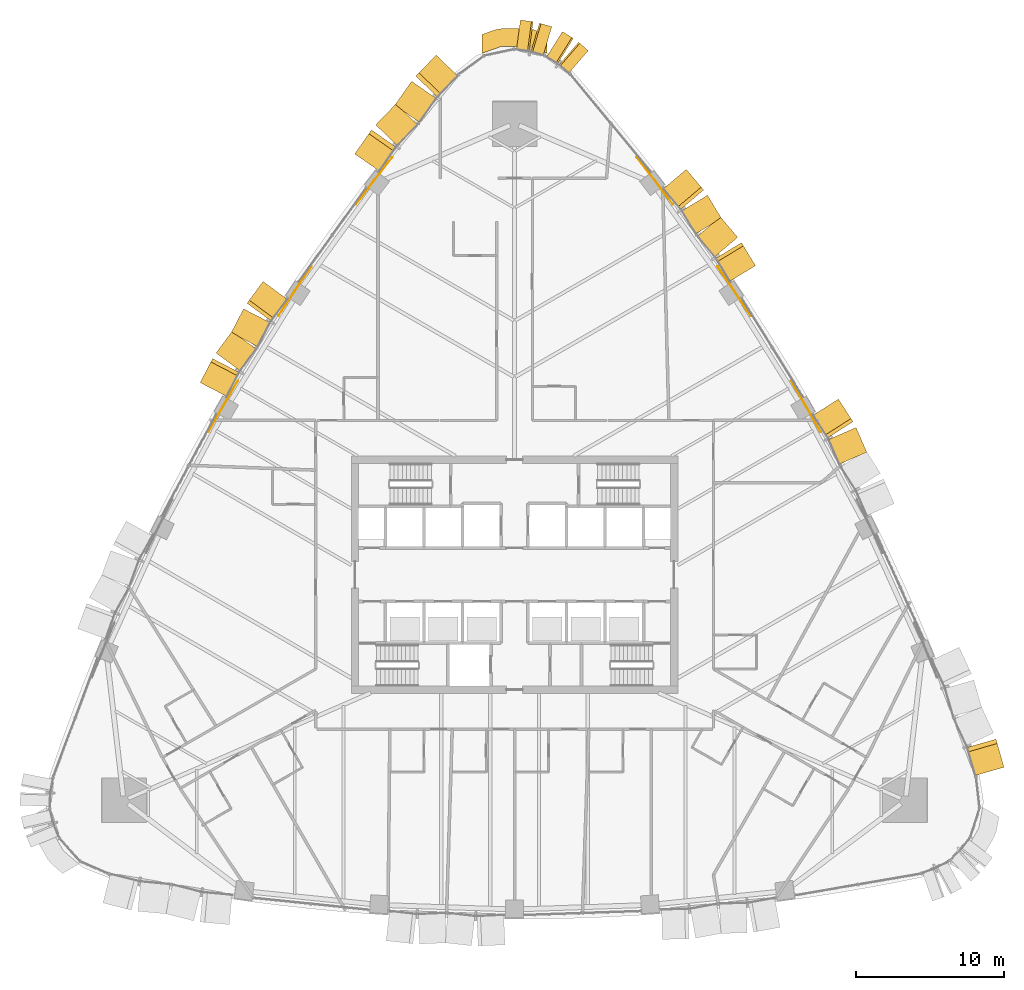
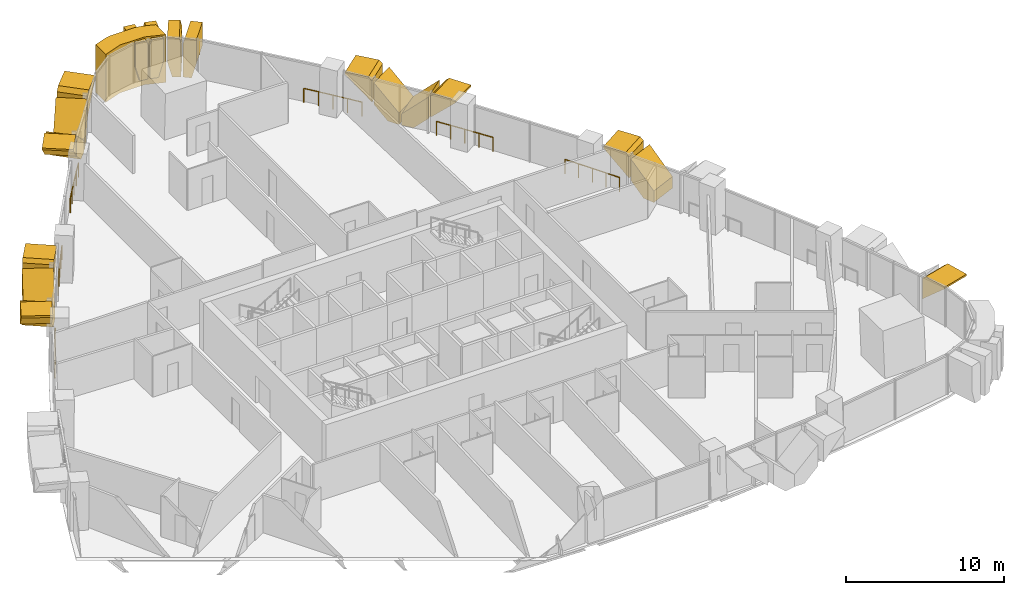
# One storey, part 18 of 19: 20 coverings, 6 railings.
"""IFC4 building model written with IfcOpenShell, lengths in metres."""

from ifc_helpers import new_model, si_unit, direction, frame, origin, origin_2d, place, context, subcontext, project, spatial, polyline, circle, outline, extrude, material, layer, layer_set, type_object, element, save


model = new_model("IFC4")

# Units and contexts
model_context = context("Model", 3, precision=1e-05, world=origin(), true_north=direction((0.0, 1.0)))
body_context = subcontext(model_context, "Body", "Model", "MODEL_VIEW")
ifc_project = project(units=[si_unit("LENGTHUNIT", "METRE"), si_unit("AREAUNIT", "SQUARE_METRE"), si_unit("VOLUMEUNIT", "CUBIC_METRE"), si_unit("PLANEANGLEUNIT", "RADIAN"), si_unit("MASSUNIT", "GRAM", prefix="KILO")], contexts=[model_context])

# Site, building, storey
site_placement = place(None, origin())
site = spatial("IfcSite", under=ifc_project, at=site_placement, CompositionType="ELEMENT")
building_placement = place(site_placement, origin())
building = spatial("IfcBuilding", under=site, at=building_placement, Name="Sierra Prisma Convention Tower", CompositionType="ELEMENT")
storey_placement = place(building_placement, frame((0.0, 0.0, 77.60009765625)))
storey = spatial("IfcBuildingStorey", under=building, at=storey_placement, Name="L15", CompositionType="ELEMENT", Elevation=77.60009765625)

# Coverings
ifc_material_1 = material(Name="Aluminium composite bronze anodised", Category="aluminium")
ifc_layer_1 = layer(ifc_material_1, 1.199951171875)
ifc_layer_set_1 = layer_set([ifc_layer_1], Name="Bronze corner pier")
covering_type_1 = type_object("IfcCoveringType", Name="Bronze corner pier", PredefinedType="CLADDING", material=ifc_layer_set_1)
covering_1_placement = place(storey_placement, frame((0.0, 0.0, -0.60009765625)))
element("IfcCovering", 1, at=covering_1_placement, inside=storey, type_object=covering_type_1, Name="Corner pier N L15.1", PredefinedType="CLADDING", context=body_context, shape_type="SweptSolid", body=[
    extrude(outline(polyline([(-1.287353515625, 36.72412109375), (-0.8876953125, 36.79248046875), (0.8876953125, 36.79248046875), (1.287353515625, 36.72412109375), (2.199951171875, 36.40185546875), (2.199951171875, 35.12939453125), (0.8876953125, 35.592529296875), (-0.8876953125, 35.592529296875), (-2.199951171875, 35.12939453125), (-2.199951171875, 36.40185546875), (-1.287353515625, 36.72412109375)])), origin(), (0.0, 0.0, 1.0), 3.699951171875),
])
ifc_material_2 = material(Name="Aluminium 6063-T6 bronze anodised", Category="aluminium")
ifc_layer_2 = layer(ifc_material_2, 2.0)
ifc_layer_set_2 = layer_set([ifc_layer_2], Name="Bronze crystal chevron frame")
covering_type_2 = type_object("IfcCoveringType", Name="Bronze crystal chevron frame", PredefinedType="CLADDING", material=ifc_layer_set_2)
covering_2_placement = place(storey_placement, frame((32.975341796875, -12.968505859375, 2.97998046875), z_axis=(0.961290806987, 0.275535812565, -1.9888966e-05), x_axis=(-1.911908e-05, -5.480122e-06, -0.999999999802)))
element("IfcCovering", 2, at=covering_2_placement, inside=storey, type_object=covering_type_2, Name="CW-2 chevron frame NE1.1.1", PredefinedType="CLADDING", context=body_context, shape_type="SweptSolid", body=[
    extrude(outline(polyline([(0.0, 0.0), (0.13305664059868333, 1.1270335846035002e-22), (1.8728027341124611, 1.9723454900957142), (0.27270507817893713, 1.9723454900957142), (-6.85585545227022e-10, 1.663250541135921), (0.0, 0.0)])), origin(), (0.0, 0.0, -1.0), 2.0),
])
covering_3_placement = place(storey_placement, frame((23.7314453125, 8.259765625, 0.0), z_axis=(0.916418005557, 0.400222486885, -9.091406e-06), x_axis=(-0.400222486902, 0.916418005595, -2.6e-10)))
element("IfcCovering", 3, at=covering_3_placement, inside=storey, type_object=covering_type_2, Name="CW-2 chevron frame NE3.2.1", PredefinedType="CLADDING", context=body_context, shape_type="SweptSolid", body=[
    extrude(outline(polyline([(0.0, 0.0), (0.8088232623577265, 0.0), (1.8123663817443196, 0.9582519536361166), (1.8123663813126585, 2.6174316410675478), (-2.3069355967562357e-10, 0.8867187499633548), (0.0, 0.0)])), origin(), (0.0, 0.0, -1.0), 2.0),
])
covering_4_placement = place(storey_placement, frame((21.821044921875, 11.8388671875, 2.97998046875), z_axis=(0.842527435224, 0.538653432913, -1.0245047e-05), x_axis=(0.538653432942, -0.842527435269, 1.23e-10)))
element("IfcCovering", 4, at=covering_4_placement, inside=storey, type_object=covering_type_2, Name="CW-2 chevron frame NE3.2.2", PredefinedType="CLADDING", context=body_context, shape_type="SweptSolid", body=[
    extrude(outline(polyline([(0.0, 0.0), (1.5627508533168992, -8.470329472543003e-22), (1.812520553178348, 0.23852539085982985), (1.8125205529748438, 1.8977050782727554), (-2.048217023604403e-11, 0.16699218749123618), (0.0, 0.0)])), origin(), (0.0, 0.0, -1.0), 2.0),
])
covering_5_placement = place(storey_placement, frame((16.230712890625, 20.822998046875, 2.97998046875), z_axis=(0.855464969044, 0.517860682685, 8.190616e-06), x_axis=(7.006785e-06, 4.241598e-06, -0.999999999966)))
element("IfcCovering", 5, at=covering_5_placement, inside=storey, type_object=covering_type_2, Name="CW-2 chevron frame NE5.1.1", PredefinedType="CLADDING", context=body_context, shape_type="SweptSolid", body=[
    extrude(outline(polyline([(0.0, 0.0), (0.16699218749439856, 0.0), (1.8977050780773306, 1.8122214399222012), (0.2382812500079927, 1.8122214399222012), (-1.2252730143645906e-10, 1.5628013510258782), (0.0, 0.0)])), origin(), (0.0, 0.0, -1.0), 2.0),
])
covering_6_placement = place(storey_placement, frame((15.033447265625, 22.7333984375, 2.617431640625), z_axis=(0.763892139938, 0.645343937984, -1.5737615e-05), x_axis=(-1.202184e-05, -1.0156174e-05, -0.999999999876)))
element("IfcCovering", 6, at=covering_6_placement, inside=storey, type_object=covering_type_2, Name="CW-2 chevron frame NE5.1.2", PredefinedType="CLADDING", context=body_context, shape_type="SweptSolid", body=[
    extrude(outline(polyline([(0.0, 0.0), (1.6591796872945335, 2.810759721455188e-21), (2.6174316411687486, 1.0035934539519304), (2.6174316405381997, 1.8124695149880898), (1.7307128906480076, 1.8124695149880898), (0.0, 0.0)])), origin(), (0.0, 0.0, -1.0), 2.0),
])
covering_7_placement = place(storey_placement, frame((13.936279296875, 24.01708984375, 0.0), z_axis=(0.855476569074, 0.517841518362, 4.0328642e-05), x_axis=(-0.517841518783, 0.855476569769, -5.12e-09)))
element("IfcCovering", 7, at=covering_7_placement, inside=storey, type_object=covering_type_2, Name="CW-2 chevron frame NE5.2.1", PredefinedType="CLADDING", context=body_context, shape_type="SweptSolid", body=[
    extrude(outline(polyline([(0.0, 0.0), (0.808720410995968, 0.0), (1.8122214346049572, 0.9582519631828218), (1.8122214261099592, 2.6174316493335774), (-4.539998976731365e-09, 0.8867187492789206), (0.0, 0.0)])), origin(), (0.0, 0.0, -1.0), 2.0),
])
covering_8_placement = place(storey_placement, frame((11.569580078125, 27.31201171875, 2.97998046875), z_axis=(0.76395574373, 0.645268642276, 3.0268564e-05), x_axis=(0.645268642572, -0.76395574408, 1.071e-09)))
element("IfcCovering", 8, at=covering_8_placement, inside=storey, type_object=covering_type_2, Name="CW-2 chevron frame NE5.2.2", PredefinedType="CLADDING", context=body_context, shape_type="SweptSolid", body=[
    extrude(outline(polyline([(0.0, 0.0), (1.5626716509704686, -3.3881317890172014e-21), (1.81231196815287, 0.23828125204981102), (1.8123119663759295, 1.8977050794146406), (-1.7881821553828302e-10, 0.16699218742350205), (0.0, 0.0)])), origin(), (0.0, 0.0, -1.0), 2.0),
])
covering_9_placement = place(storey_placement, frame((4.966064453125, 35.312744140625, 2.97998046875), z_axis=(0.655507120217, 0.755188992968, 1.5646329e-05), x_axis=(1.025628e-05, 1.1815936e-05, -0.999999999878)))
element("IfcCovering", 9, at=covering_9_placement, inside=storey, type_object=covering_type_2, Name="CW-2 chevron frame N1.1.1", PredefinedType="CLADDING", context=body_context, shape_type="SweptSolid", body=[
    extrude(outline(polyline([(0.0, 0.0), (1.8325195310256928, 0.0), (2.979980468385657, 0.3061501048126354), (2.979980468480848, 0.8622041083936198), (0.40893554692055356, 0.8622041083936198), (-1.2966526010601081e-09, 0.7531801150077665), (0.0, 0.0)])), origin(), (0.0, 0.0, -1.0), 2.0),
])
covering_10_placement = place(storey_placement, frame((3.958251953125, 36.141357421875, 0.0), z_axis=(0.529309586473, 0.848428760485, 7.126514e-06), x_axis=(-0.848428760506, 0.529309586486, -1.812e-09)))
element("IfcCovering", 10, at=covering_10_placement, inside=storey, type_object=covering_type_2, Name="CW-2 chevron frame N1.1.2", PredefinedType="CLADDING", context=body_context, shape_type="SweptSolid", body=[
    extrude(outline(polyline([(0.0, 0.0), (0.5560331363769575, 0.0), (0.8621025818125383, 1.1474609392034671), (0.8621025784927016, 2.9799804704069333), (0.1091310669229325, 2.9799804680555404), (-4.657767280684162e-09, 2.5710449218097122), (0.0, 0.0)])), origin(), (0.0, 0.0, -1.0), 2.0),
])
covering_11_placement = place(storey_placement, frame((2.50830078125, 36.92236328125, 2.97998046875), z_axis=(0.286541629417, 0.958067792085, -1.9502164e-05), x_axis=(-5.588182e-06, -1.8684395e-05, -0.99999999981)))
element("IfcCovering", 11, at=covering_11_placement, inside=storey, type_object=covering_type_2, Name="CW-2 chevron frame N2.1.1", PredefinedType="CLADDING", context=body_context, shape_type="SweptSolid", body=[
    extrude(outline(polyline([(0.0, 0.0), (1.8325195309015148, 1.5522044194557564e-21), (2.979980470453009, 0.30626609650524594), (2.97998046862262, 0.8623245942523164), (0.4089355472365485, 0.8623245942523164), (4.053191261523773e-10, 0.7532595689440329), (0.0, 0.0)])), origin(), (0.0, 0.0, -1.0), 2.0),
])
covering_12_placement = place(storey_placement, frame((0.69775390625, 37.336669921875, 0.0), z_axis=(0.133075699552, 0.991105876032, -2.614197e-05), x_axis=(-0.255526417574, 0.034334994639, 0.9661921952)))
element("IfcCovering", 12, at=covering_12_placement, inside=storey, type_object=covering_type_2, Name="CW-2 chevron frame N2.1.2", PredefinedType="CLADDING", context=body_context, shape_type="SweptSolid", body=[
    extrude(outline(polyline([(0.0, 0.0), (1.1876114742646688, 0.0), (2.9581775429095067, 0.4724654767084351), (2.764031642927582, 1.2000279446324762), (2.340782075148474, 1.2000468689995412), (-0.14334146187507932, 0.5371726436842559), (0.0, 0.0)])), origin(), (0.0, 0.0, -1.0), 2.0),
])
covering_13_placement = place(storey_placement, frame((-5.28173828125, 35.01318359375, 2.97998046875), z_axis=(-0.719433470962, 0.694561357191, -4.4227778e-05), x_axis=(3.1818944e-05, -3.0718906e-05, -0.999999999022)))
element("IfcCovering", 13, at=covering_13_placement, inside=storey, type_object=covering_type_2, Name="CW-2 chevron frame NW1.1.1", PredefinedType="CLADDING", context=body_context, shape_type="SweptSolid", body=[
    extrude(outline(polyline([(0.0, 0.0), (0.13305664049486418, 0.0), (1.8728027330767463, 1.9722976358234696), (0.2727050783917187, 1.9722976358234696), (-3.3902168228704013e-09, 1.6632343237493237), (0.0, 0.0)])), origin(), (0.0, 0.0, -1.0), 2.0),
])
covering_14_placement = place(storey_placement, frame((-6.93359375, 33.251953125, 2.592529296875), z_axis=(-0.819269667246, 0.573408416605, 9.888707e-06), x_axis=(-8.101518e-06, 5.670268e-06, -0.999999999951)))
element("IfcCovering", 14, at=covering_14_placement, inside=storey, type_object=covering_type_2, Name="CW-2 chevron frame NW1.1.2", PredefinedType="CLADDING", context=body_context, shape_type="SweptSolid", body=[
    extrude(outline(polyline([(0.0, 0.0), (1.6000976561717661, 0.0), (2.592529297085148, 1.1252638449296524), (2.592529296845289, 1.9721568466652535), (1.7397460937619846, 1.9721568466652535), (0.0, 0.0)])), origin(), (0.0, 0.0, -1.0), 2.0),
])
covering_15_placement = place(storey_placement, frame((-7.9853515625, 31.732177734375, 0.0), z_axis=(-0.719481750135, 0.694511345631, 4.4859076e-05), x_axis=(-0.69451134633, -0.719481750859, -5.827e-09)))
element("IfcCovering", 15, at=covering_15_placement, inside=storey, type_object=covering_type_2, Name="CW-2 chevron frame NW1.2.1", PredefinedType="CLADDING", context=body_context, shape_type="SweptSolid", body=[
    extrude(outline(polyline([(0.0, 0.0), (0.8470700182614612, 3.3881317890172014e-21), (1.97247328083803, 0.992431653117493), (1.972473271513987, 2.5925293077575255), (-4.969313776653678e-09, 0.8527832022669566), (0.0, 0.0)])), origin(), (0.0, 0.0, -1.0), 2.0),
])
covering_16_placement = place(storey_placement, frame((-10.76806640625, 28.35498046875, 2.97998046875), z_axis=(-0.819309963752, 0.573350837045, -3.0941537e-05), x_axis=(0.573350837319, 0.819309964144, 9.98e-10)))
element("IfcCovering", 16, at=covering_16_placement, inside=storey, type_object=covering_type_2, Name="CW-2 chevron frame NW1.2.2", PredefinedType="CLADDING", context=body_context, shape_type="SweptSolid", body=[
    extrude(outline(polyline([(0.0, 0.0), (1.6633048316454304, -1.0164395367051604e-20), (1.9723568676797556, 0.27270508022313117), (1.972356866083525, 1.8728027357071815), (-1.3273507512771892e-10, 0.1330566405613072), (0.0, 0.0)])), origin(), (0.0, 0.0, -1.0), 2.0),
])
covering_17_placement = place(storey_placement, frame((-16.941650390625, 19.7607421875, 2.97998046875), z_axis=(-0.80500247813, 0.593271446218, -3.614898e-05), x_axis=(2.9100019e-05, -2.1446158e-05, -0.999999999347)))
element("IfcCovering", 17, at=covering_17_placement, inside=storey, type_object=covering_type_2, Name="CW-2 chevron frame NW3.1.1", PredefinedType="CLADDING", context=body_context, shape_type="SweptSolid", body=[
    extrude(outline(polyline([(0.0, 0.0), (0.1647949217673272, 5.583469134732937e-22), (1.8959960928254498, 1.8217926229029082), (0.2404785157821225, 1.8217926229029082), (-2.3786911144409954e-09, 1.568609271013185), (0.0, 0.0)])), origin(), (0.0, 0.0, -1.0), 2.0),
])
covering_18_placement = place(storey_placement, frame((-18.256591796875, 17.917724609375, 2.615966796875), z_axis=(-0.887876628837, 0.460081614351, 1.0109741e-05), x_axis=(-8.976203e-06, 4.651306e-06, -0.999999999949)))
element("IfcCovering", 18, at=covering_18_placement, inside=storey, type_object=covering_type_2, Name="CW-2 chevron frame NW3.1.2", PredefinedType="CLADDING", context=body_context, shape_type="SweptSolid", body=[
    extrude(outline(polyline([(0.0, 0.0), (1.6555175780403972, -1.4022779334305202e-21), (2.6159667970991136, 1.010812979285403), (2.6159667968394795, 1.8216901485570676), (1.7312011718846942, 1.8216901485570676), (0.0, 0.0)])), origin(), (0.0, 0.0, -1.0), 2.0),
])
covering_19_placement = place(storey_placement, frame((-19.029052734375, 16.40576171875, 0.0), z_axis=(-0.804958037907, 0.593331742964, 3.08701e-07), x_axis=(-0.593331742964, -0.804958037907, 0.0)))
element("IfcCovering", 19, at=covering_19_placement, inside=storey, type_object=covering_type_2, Name="CW-2 chevron frame NW3.2.1", PredefinedType="CLADDING", context=body_context, shape_type="SweptSolid", body=[
    extrude(outline(polyline([(0.0, 0.0), (0.8110143209828415, 5.293955920339377e-23), (1.821596094182299, 0.9604492187505896), (1.8215960941818048, 2.6159667968755107), (-2.640927945343087e-13, 0.8847656249999579), (0.0, 0.0)])), origin(), (0.0, 0.0, -1.0), 2.0),
])
covering_20_placement = place(storey_placement, frame((-21.182373046875, 12.9453125, 2.97998046875), z_axis=(-0.887875906226, 0.460083008089, -2.8484756e-05), x_axis=(0.460083008275, 0.887875906586, 9.42e-10)))
element("IfcCovering", 20, at=covering_20_placement, inside=storey, type_object=covering_type_2, Name="CW-2 chevron frame NW3.2.2", PredefinedType="CLADDING", context=body_context, shape_type="SweptSolid", body=[
    extrude(outline(polyline([(0.0, 0.0), (1.568685893441486, 3.3881317890172014e-21), (1.821690148343648, 0.24047851743773901), (1.8216901467849258, 1.895996094891111), (-1.5515965379665929e-10, 0.16479492180814423), (0.0, 0.0)])), origin(), (0.0, 0.0, -1.0), 2.0),
])

# Railings
ifc_material_3 = material(Name="Bronze anodised aluminium", Category="aluminium")
railing_type = type_object("IfcRailingType", Name="Facade guard 1100", PredefinedType="GUARDRAIL", material=ifc_material_3)
railing_1_placement = place(storey_placement, frame((20.631103515625, 9.6142578125, 0.0)))
element("IfcRailing", 21, at=railing_1_placement, inside=storey, type_object=railing_type, Name="Facade guard", PredefinedType="GUARDRAIL", context=body_context, shape_type="SweptSolid", body=[
    extrude(circle(Radius=0.02392578125, at=origin_2d()), frame((0.0, 0.0, 1.076171875), z_axis=(-0.493710645306, 0.869626240814, 0.0), x_axis=(-0.869626240814, -0.493710645306, 0.0)), (0.0, 0.0, 1.0), 0.996826171875),
    extrude(circle(Radius=0.02392578125, at=origin_2d()), frame((-0.4921875, 0.866943359375, 1.076171875), z_axis=(-0.493921009718, 0.869506777524, 0.0), x_axis=(-0.869506777524, -0.493921009718, 0.0)), (0.0, 0.0, 1.0), 0.99658203125),
    extrude(circle(Radius=0.02392578125, at=origin_2d()), frame((-0.984375, 1.7333984375, 1.076171875), z_axis=(-0.506014611383, 0.862524905766, 0.0), x_axis=(-0.862524905766, -0.506014611383, 0.0)), (0.0, 0.0, 1.0), 0.997802734375),
    extrude(circle(Radius=0.02392578125, at=origin_2d()), frame((-1.4892578125, 2.593994140625, 1.076171875), z_axis=(-0.506612850258, 0.862173659974, 0.0), x_axis=(-0.862173659974, -0.506612850258, 0.0)), (0.0, 0.0, 1.0), 0.99560546875),
    extrude(circle(Radius=0.02099609375, at=origin_2d()), origin(), (0.0, 0.0, 1.0), 1.052001953125),
    extrude(circle(Radius=0.02099609375, at=origin_2d()), frame((-0.4921875, 0.866943359375, 0.0)), (0.0, 0.0, 1.0), 1.052001953125),
    extrude(circle(Radius=0.02099609375, at=origin_2d()), frame((-0.984375, 1.7333984375, 0.0)), (0.0, 0.0, 1.0), 1.052001953125),
    extrude(circle(Radius=0.02099609375, at=origin_2d()), frame((-1.4892578125, 2.593994140625, 0.0)), (0.0, 0.0, 1.0), 1.052001953125),
    extrude(circle(Radius=0.02099609375, at=origin_2d()), frame((-1.99365234375, 3.452392578125, 0.0)), (0.0, 0.0, 1.0), 1.052001953125),
])
railing_2_placement = place(storey_placement, frame((15.9052734375, 17.451171875, 0.0)))
element("IfcRailing", 22, at=railing_2_placement, inside=storey, type_object=railing_type, Name="Facade guard", PredefinedType="GUARDRAIL", context=body_context, shape_type="SweptSolid", body=[
    extrude(circle(Radius=0.02392578125, at=origin_2d()), frame((0.0, 0.0, 1.076171875), z_axis=(-0.546170391598, 0.837674103301, 0.0), x_axis=(-0.837674103301, -0.546170391598, 0.0)), (0.0, 0.0, 1.0), 0.994140625),
    extrude(circle(Radius=0.02392578125, at=origin_2d()), frame((-0.54296875, 0.832763671875, 1.076171875), z_axis=(-0.554136731172, 0.832425662246, 0.0), x_axis=(-0.832425662246, -0.554136731172, 0.0)), (0.0, 0.0, 1.0), 1.0),
    extrude(circle(Radius=0.02392578125, at=origin_2d()), frame((-1.09716796875, 1.665283203125, 1.076171875), z_axis=(-0.558603826886, 0.829434605372, 0.0), x_axis=(-0.829434605372, -0.558603826886, 0.0)), (0.0, 0.0, 1.0), 0.994384765625),
    extrude(circle(Radius=0.02392578125, at=origin_2d()), frame((-1.652587890625, 2.489990234375, 1.076171875), z_axis=(-0.565917344721, 0.824461981503, 0.0), x_axis=(-0.824461981503, -0.565917344721, 0.0)), (0.0, 0.0, 1.0), 1.0),
    extrude(circle(Radius=0.02099609375, at=origin_2d()), origin(), (0.0, 0.0, 1.0), 1.052001953125),
    extrude(circle(Radius=0.02099609375, at=origin_2d()), frame((-0.54296875, 0.832763671875, 0.0)), (0.0, 0.0, 1.0), 1.052001953125),
    extrude(circle(Radius=0.02099609375, at=origin_2d()), frame((-1.09716796875, 1.665283203125, 0.0)), (0.0, 0.0, 1.0), 1.052001953125),
    extrude(circle(Radius=0.02099609375, at=origin_2d()), frame((-1.652587890625, 2.489990234375, 0.0)), (0.0, 0.0, 1.0), 1.052001953125),
    extrude(circle(Radius=0.02099609375, at=origin_2d()), frame((-2.218505859375, 3.314453125, 0.0)), (0.0, 0.0, 1.0), 1.052001953125),
])
railing_3_placement = place(storey_placement, frame((10.669921875, 24.965087890625, 0.0)))
element("IfcRailing", 23, at=railing_3_placement, inside=storey, type_object=railing_type, Name="Facade guard", PredefinedType="GUARDRAIL", context=body_context, shape_type="SweptSolid", body=[
    extrude(circle(Radius=0.02392578125, at=origin_2d()), frame((0.0, 0.0, 1.076171875), z_axis=(-0.60058577641, 0.799560332416, 0.0), x_axis=(-0.799560332416, -0.60058577641, 0.0)), (0.0, 0.0, 1.0), 1.0),
    extrude(circle(Radius=0.02392578125, at=origin_2d()), frame((-0.6005859375, 0.799560546875, 1.076171875), z_axis=(-0.608178937777, 0.793799961983, 0.0), x_axis=(-0.793799961983, -0.608178937777, 0.0)), (0.0, 0.0, 1.0), 0.994384765625),
    extrude(circle(Radius=0.02392578125, at=origin_2d()), frame((-1.205322265625, 1.5888671875, 1.076171875), z_axis=(-0.611808748303, 0.791005724063, 0.0), x_axis=(-0.791005724063, -0.611808748303, 0.0)), (0.0, 0.0, 1.0), 1.0),
    extrude(circle(Radius=0.02392578125, at=origin_2d()), frame((-1.817138671875, 2.3798828125, 1.076171875), z_axis=(-0.619771665431, 0.784782188081, 0.0), x_axis=(-0.784782188081, -0.619771665431, 0.0)), (0.0, 0.0, 1.0), 0.994140625),
    extrude(circle(Radius=0.02099609375, at=origin_2d()), origin(), (0.0, 0.0, 1.0), 1.052001953125),
    extrude(circle(Radius=0.02099609375, at=origin_2d()), frame((-0.6005859375, 0.799560546875, 0.0)), (0.0, 0.0, 1.0), 1.052001953125),
    extrude(circle(Radius=0.02099609375, at=origin_2d()), frame((-1.205322265625, 1.5888671875, 0.0)), (0.0, 0.0, 1.0), 1.052001953125),
    extrude(circle(Radius=0.02099609375, at=origin_2d()), frame((-1.817138671875, 2.3798828125, 0.0)), (0.0, 0.0, 1.0), 1.052001953125),
    extrude(circle(Radius=0.02099609375, at=origin_2d()), frame((-2.433349609375, 3.16015625, 0.0)), (0.0, 0.0, 1.0), 1.052001953125),
])
railing_4_placement = place(storey_placement, frame((-8.236572265625, 28.125244140625, 0.0)))
element("IfcRailing", 24, at=railing_4_placement, inside=storey, type_object=railing_type, Name="Facade guard", PredefinedType="GUARDRAIL", context=body_context, shape_type="SweptSolid", body=[
    extrude(circle(Radius=0.02392578125, at=origin_2d()), frame((0.0, 0.0, 1.076171875), z_axis=(-0.619771665431, -0.784782188081, 0.0), x_axis=(0.784782188081, -0.619771665431, 0.0)), (0.0, 0.0, 1.0), 0.994140625),
    extrude(circle(Radius=0.02392578125, at=origin_2d()), frame((-0.6162109375, -0.7802734375, 1.076171875), z_axis=(-0.611808748303, -0.791005724063, 0.0), x_axis=(0.791005724063, -0.611808748303, 0.0)), (0.0, 0.0, 1.0), 1.0),
    extrude(circle(Radius=0.02392578125, at=origin_2d()), frame((-1.22802734375, -1.5712890625, 1.076171875), z_axis=(-0.608178937777, -0.793799961983, 0.0), x_axis=(0.793799961983, -0.608178937777, 0.0)), (0.0, 0.0, 1.0), 0.994384765625),
    extrude(circle(Radius=0.02392578125, at=origin_2d()), frame((-1.832763671875, -2.360595703125, 1.076171875), z_axis=(-0.60058577641, -0.799560332416, 0.0), x_axis=(0.799560332416, -0.60058577641, 0.0)), (0.0, 0.0, 1.0), 1.0),
    extrude(circle(Radius=0.02099609375, at=origin_2d()), origin(), (0.0, 0.0, 1.0), 1.052001953125),
    extrude(circle(Radius=0.02099609375, at=origin_2d()), frame((-0.6162109375, -0.7802734375, 0.0)), (0.0, 0.0, 1.0), 1.052001953125),
    extrude(circle(Radius=0.02099609375, at=origin_2d()), frame((-1.22802734375, -1.5712890625, 0.0)), (0.0, 0.0, 1.0), 1.052001953125),
    extrude(circle(Radius=0.02099609375, at=origin_2d()), frame((-1.832763671875, -2.360595703125, 0.0)), (0.0, 0.0, 1.0), 1.052001953125),
    extrude(circle(Radius=0.02099609375, at=origin_2d()), frame((-2.433349609375, -3.16015625, 0.0)), (0.0, 0.0, 1.0), 1.052001953125),
])
railing_5_placement = place(storey_placement, frame((-13.686767578125, 20.765625, 0.0)))
element("IfcRailing", 25, at=railing_5_placement, inside=storey, type_object=railing_type, Name="Facade guard", PredefinedType="GUARDRAIL", context=body_context, shape_type="SweptSolid", body=[
    extrude(circle(Radius=0.02392578125, at=origin_2d()), frame((0.0, 0.0, 1.076171875), z_axis=(-0.565917344721, -0.824461981503, 0.0), x_axis=(0.824461981503, -0.565917344721, 0.0)), (0.0, 0.0, 1.0), 1.0),
    extrude(circle(Radius=0.02392578125, at=origin_2d()), frame((-0.56591796875, -0.824462890625, 1.076171875), z_axis=(-0.558603826886, -0.829434605372, 0.0), x_axis=(0.829434605372, -0.558603826886, 0.0)), (0.0, 0.0, 1.0), 0.994384765625),
    extrude(circle(Radius=0.02392578125, at=origin_2d()), frame((-1.121337890625, -1.649169921875, 1.076171875), z_axis=(-0.554136731172, -0.832425662246, 0.0), x_axis=(0.832425662246, -0.554136731172, 0.0)), (0.0, 0.0, 1.0), 1.0),
    extrude(circle(Radius=0.02392578125, at=origin_2d()), frame((-1.675537109375, -2.481689453125, 1.076171875), z_axis=(-0.546170391598, -0.837674103301, 0.0), x_axis=(0.837674103301, -0.546170391598, 0.0)), (0.0, 0.0, 1.0), 0.994140625),
    extrude(circle(Radius=0.02099609375, at=origin_2d()), origin(), (0.0, 0.0, 1.0), 1.052001953125),
    extrude(circle(Radius=0.02099609375, at=origin_2d()), frame((-0.56591796875, -0.824462890625, 0.0)), (0.0, 0.0, 1.0), 1.052001953125),
    extrude(circle(Radius=0.02099609375, at=origin_2d()), frame((-1.121337890625, -1.649169921875, 0.0)), (0.0, 0.0, 1.0), 1.052001953125),
    extrude(circle(Radius=0.02099609375, at=origin_2d()), frame((-1.675537109375, -2.481689453125, 0.0)), (0.0, 0.0, 1.0), 1.052001953125),
    extrude(circle(Radius=0.02099609375, at=origin_2d()), frame((-2.218505859375, -3.314453125, 0.0)), (0.0, 0.0, 1.0), 1.052001953125),
])
railing_6_placement = place(storey_placement, frame((-18.637451171875, 13.066650390625, 0.0)))
element("IfcRailing", 26, at=railing_6_placement, inside=storey, type_object=railing_type, Name="Facade guard", PredefinedType="GUARDRAIL", context=body_context, shape_type="SweptSolid", body=[
    extrude(circle(Radius=0.02392578125, at=origin_2d()), frame((0.0, 0.0, 1.076171875), z_axis=(-0.506612850258, -0.862173659974, 0.0), x_axis=(0.862173659974, -0.506612850258, 0.0)), (0.0, 0.0, 1.0), 0.99560546875),
    extrude(circle(Radius=0.02392578125, at=origin_2d()), frame((-0.50439453125, -0.8583984375, 1.076171875), z_axis=(-0.506014611383, -0.862524905766, 0.0), x_axis=(0.862524905766, -0.506014611383, 0.0)), (0.0, 0.0, 1.0), 0.997802734375),
    extrude(circle(Radius=0.02392578125, at=origin_2d()), frame((-1.00927734375, -1.718994140625, 1.076171875), z_axis=(-0.493921009718, -0.869506777524, 0.0), x_axis=(0.869506777524, -0.493921009718, 0.0)), (0.0, 0.0, 1.0), 0.99658203125),
    extrude(circle(Radius=0.02392578125, at=origin_2d()), frame((-1.50146484375, -2.58544921875, 1.076171875), z_axis=(-0.493710645306, -0.869626240814, 0.0), x_axis=(0.869626240814, -0.493710645306, 0.0)), (0.0, 0.0, 1.0), 0.996826171875),
    extrude(circle(Radius=0.02099609375, at=origin_2d()), origin(), (0.0, 0.0, 1.0), 1.052001953125),
    extrude(circle(Radius=0.02099609375, at=origin_2d()), frame((-0.50439453125, -0.8583984375, 0.0)), (0.0, 0.0, 1.0), 1.052001953125),
    extrude(circle(Radius=0.02099609375, at=origin_2d()), frame((-1.00927734375, -1.718994140625, 0.0)), (0.0, 0.0, 1.0), 1.052001953125),
    extrude(circle(Radius=0.02099609375, at=origin_2d()), frame((-1.50146484375, -2.58544921875, 0.0)), (0.0, 0.0, 1.0), 1.052001953125),
    extrude(circle(Radius=0.02099609375, at=origin_2d()), frame((-1.99365234375, -3.452392578125, 0.0)), (0.0, 0.0, 1.0), 1.052001953125),
])

save(model, "model.ifc")
